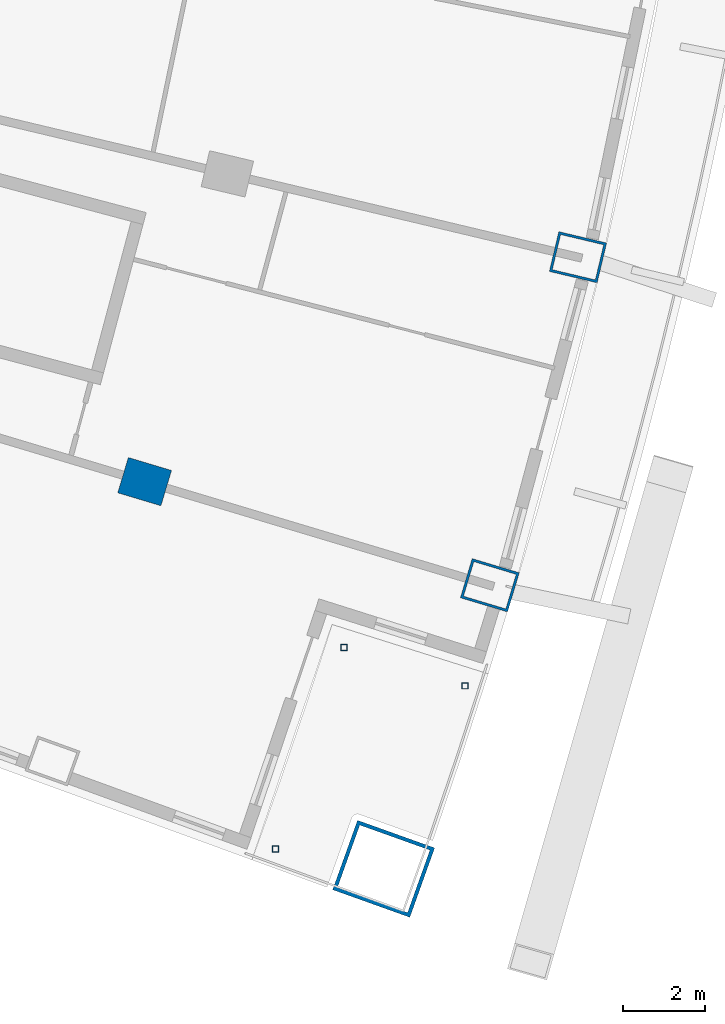
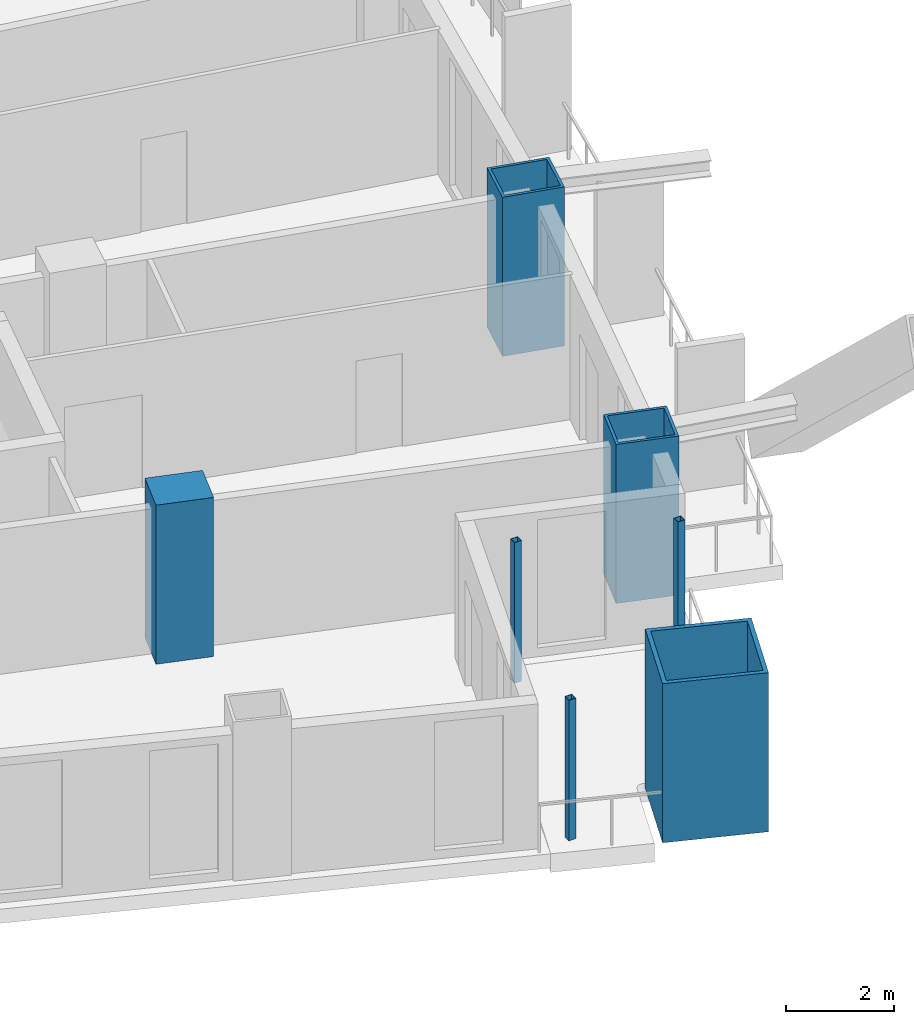
# One storey, part 5 of 25: 7 columns.
"""IFC4 building model written with IfcOpenShell, lengths in metres."""

import ifcopenshell
import ifcopenshell.guid

model = None  # the IFC model being written
_history = None  # IfcOwnerHistory: only IFC2X3 demands one
_inside = {}  # id of a spatial element -> (the spatial element, [elements in it])
_under = {}  # id of a project, library or spatial element -> (it, [spatial elements below it])
_declared = {}  # id of a project -> (the project, [libraries it declares])
_typed = {}  # id of a type object -> (the type object, [elements of that type])
_made_of = {}  # id of a material, layer set ... -> (it, [elements and type objects made of it])


def new_model(schema):
    """Start an empty IFC model of exactly this schema.

    Asked for "IFC4X3", IfcOpenShell would pick the latest addendum, in which some entities
    have other attributes; the version numbers below select the first issue.
    IFC2X3 requires an IfcOwnerHistory on every rooted entity: one is made here for all.
    """
    global model, _history
    if schema == "IFC4X3":
        model = ifcopenshell.file(schema_version=(4, 3, 0, 0))
    else:
        model = ifcopenshell.file(schema=schema)
    _inside.clear()
    _under.clear()
    _declared.clear()
    _typed.clear()
    _made_of.clear()
    _history = None
    if model.schema == "IFC2X3":
        org = make("IfcOrganization", Name="unknown")
        user = make(
            "IfcPersonAndOrganization",
            ThePerson=make("IfcPerson", FamilyName="unknown"),
            TheOrganization=org,
        )
        app = make(
            "IfcApplication",
            ApplicationDeveloper=org,
            Version="unknown",
            ApplicationFullName="unknown",
            ApplicationIdentifier="unknown",
        )
        _history = make(
            "IfcOwnerHistory",
            OwningUser=user,
            OwningApplication=app,
            ChangeAction="ADDED",
            CreationDate=0,
        )
    return model


def make(cls, **values):
    """One entity of the class cls with the attributes given. An attribute that is None is left unset."""
    return model.create_entity(
        cls, **{name: value for name, value in values.items() if value is not None}
    )


def rooted(cls, **values):
    """An entity with a GlobalId (a new one), such as an element, a storey or a relation."""
    return make(cls, GlobalId=ifcopenshell.guid.new(), OwnerHistory=_history, **values)


def si_unit(unit_type, name, prefix=None):
    """IfcSIUnit, for example si_unit("LENGTHUNIT", "METRE", prefix="MILLI")."""
    return make("IfcSIUnit", UnitType=unit_type, Prefix=prefix, Name=name)


def assignment(units):
    """IfcUnitAssignment: the units of a project."""
    return None if units is None else make("IfcUnitAssignment", Units=units)


def point(xyz):
    """IfcCartesianPoint."""
    return None if xyz is None else make("IfcCartesianPoint", Coordinates=xyz)


def direction(xyz):
    """IfcDirection."""
    return None if xyz is None else make("IfcDirection", DirectionRatios=xyz)


def frame(location, z_axis=None, x_axis=None):
    """IfcAxis2Placement3D, a coordinate frame: its origin and axes. An axis left out is left unset."""
    return make(
        "IfcAxis2Placement3D",
        Location=point(location),
        Axis=direction(z_axis),
        RefDirection=direction(x_axis),
    )


def frame_2d(location, x_axis=None):
    """IfcAxis2Placement2D, a coordinate frame in the plane: its origin and x axis."""
    return make(
        "IfcAxis2Placement2D", Location=point(location), RefDirection=direction(x_axis)
    )


def origin():
    """The frame at (0, 0, 0) with its axes left unset."""
    return frame((0.0, 0.0, 0.0))


def origin_2d():
    """The frame at (0, 0) in the plane with its x axis left unset."""
    return frame_2d((0.0, 0.0))


def place(relative_to, where):
    """IfcLocalPlacement: puts the frame where relative to a parent placement (None: the world)."""
    return make(
        "IfcLocalPlacement", PlacementRelTo=relative_to, RelativePlacement=where
    )


def context(
    kind, dimensions, precision=None, world=None, true_north=None, identifier=None
):
    """IfcGeometricRepresentationContext, for example the 3D "Model" context."""
    return make(
        "IfcGeometricRepresentationContext",
        ContextIdentifier=identifier,
        ContextType=kind,
        CoordinateSpaceDimension=dimensions,
        Precision=precision,
        WorldCoordinateSystem=world,
        TrueNorth=true_north,
    )


def subcontext(parent, identifier, kind, view, scale=None):
    """IfcGeometricRepresentationSubContext, for example "Body" below "Model"."""
    return make(
        "IfcGeometricRepresentationSubContext",
        ContextIdentifier=identifier,
        ContextType=kind,
        ParentContext=parent,
        TargetScale=scale,
        TargetView=view,
    )


def project(units=None, contexts=None):
    """IfcProject with its units and contexts."""
    return rooted(
        "IfcProject",
        Name="project",
        RepresentationContexts=contexts,
        UnitsInContext=assignment(units),
    )


def spatial(cls, under=None, at=None, **own):
    """A site, building, storey or space (cls), placed at a placement, below another one or the project."""
    s = rooted(cls, ObjectPlacement=at, **own)
    if under is not None:
        _under.setdefault(under.id(), (under, []))[1].append(s)
    return s


def profile(cls, at=None, kind="AREA", **sizes):
    """A parametric profile (cls). Its sizes go by their IFC names, for example OverallWidth=200.0."""
    return make(cls, ProfileType=kind, Position=at, **sizes)


def rectangle(**sizes):
    """IfcRectangleProfileDef."""
    return profile("IfcRectangleProfileDef", **sizes)


def hollow_rectangle(**sizes):
    """IfcRectangleHollowProfileDef."""
    return profile("IfcRectangleHollowProfileDef", **sizes)


def extrude(swept, where, along, depth):
    """IfcExtrudedAreaSolid: the profile swept, set in the frame where, extruded along a direction by depth."""
    return make(
        "IfcExtrudedAreaSolid",
        SweptArea=swept,
        Position=where,
        ExtrudedDirection=direction(along),
        Depth=depth,
    )


def shape(context_of_items, identifier, shape_type, items):
    """IfcShapeRepresentation: the items that make up one representation, for example the "Body"."""
    return make(
        "IfcShapeRepresentation",
        ContextOfItems=context_of_items,
        RepresentationIdentifier=identifier,
        RepresentationType=shape_type,
        Items=items,
    )


def material(Name=None, Category=None):
    """IfcMaterial."""
    return make("IfcMaterial", Name=Name, Category=Category)


def material_profile(
    of_material, cross_section, Name=None, Category=None, Priority=None
):
    """IfcMaterialProfile: a cross section and its material."""
    return make(
        "IfcMaterialProfile",
        Name=Name,
        Material=of_material,
        Profile=cross_section,
        Priority=Priority,
        Category=Category,
    )


def profile_set(profiles, Name=None, composite=None):
    """IfcMaterialProfileSet."""
    return make(
        "IfcMaterialProfileSet",
        Name=Name,
        MaterialProfiles=profiles,
        CompositeProfile=composite,
    )


def made_of(thing, what):
    """Note that an element or type object is made of a material, layer set ...; save() writes the relation."""
    if what is not None:
        _made_of.setdefault(what.id(), (what, []))[1].append(thing)
    return thing


def type_object(cls, material=None, **own):
    """A type object (cls), such as IfcWallType, which elements share."""
    return made_of(rooted(cls, **own), material)


def element(
    cls,
    number,
    at=None,
    inside=None,
    cuts=None,
    type_object=None,
    material=None,
    context=None,
    identifier="Body",
    shape_type=None,
    held_by="IfcProductDefinitionShape",
    body=None,
    shapes=None,
    **own,
):
    """One element of the class cls, such as IfcWall. Its Tag is "e" and its number.

    at: its placement. inside: the storey or other place that contains it. cuts: it is an
    opening in that element (IfcRelVoidsElement). A single representation is given by context,
    identifier, shape_type and body (its items); several are given by shapes. held_by: the class
    of the entity that holds the representations. save() writes the other relations.
    """
    e = rooted(cls, Tag="e%d" % number, ObjectPlacement=at, **own)
    if body is not None:
        shapes = [shape(context, identifier, shape_type, body)]
    if shapes is not None:
        e.Representation = make(held_by, Representations=shapes)
    if inside is not None:
        _inside.setdefault(inside.id(), (inside, []))[1].append(e)
    if cuts is not None:
        rooted(
            "IfcRelVoidsElement", RelatingBuildingElement=cuts, RelatedOpeningElement=e
        )
    if type_object is not None:
        _typed.setdefault(type_object.id(), (type_object, []))[1].append(e)
    return made_of(e, material)


def aggregate(whole, parts):
    """IfcRelAggregates: a whole, such as a stair, and the parts it consists of."""
    return rooted("IfcRelAggregates", RelatingObject=whole, RelatedObjects=parts)


def save(model, path):
    """Write the relations noted so far, then the file.

    IfcRelAggregates (storeys below a building ...), IfcRelContainedInSpatialStructure (elements
    in a storey), IfcRelDefinesByType, IfcRelAssociatesMaterial and IfcRelDeclares: one each for
    every whole, place, type object, material and project.
    """
    for whole, parts in _under.values():
        aggregate(whole, parts)
    for where, things in _inside.values():
        rooted(
            "IfcRelContainedInSpatialStructure",
            RelatedElements=things,
            RelatingStructure=where,
        )
    for kind, things in _typed.values():
        rooted("IfcRelDefinesByType", RelatedObjects=things, RelatingType=kind)
    for what, things in _made_of.values():
        rooted("IfcRelAssociatesMaterial", RelatedObjects=things, RelatingMaterial=what)
    for by, libraries in _declared.values():
        rooted("IfcRelDeclares", RelatingContext=by, RelatedDefinitions=libraries)
    model.write(path)


model = new_model("IFC4")

# Units and contexts
model_context = context("Model", 3, precision=1e-05, world=origin(), true_north=direction((0.0, 1.0)))
body_context = subcontext(model_context, "Body", "Model", "MODEL_VIEW")
ifc_project = project(units=[si_unit("LENGTHUNIT", "METRE"), si_unit("AREAUNIT", "SQUARE_METRE"), si_unit("VOLUMEUNIT", "CUBIC_METRE"), si_unit("PLANEANGLEUNIT", "RADIAN"), si_unit("MASSUNIT", "GRAM", prefix="KILO")], contexts=[model_context])

# Site, building, storey
site_placement = place(None, origin())
site = spatial("IfcSite", under=ifc_project, at=site_placement, CompositionType="ELEMENT")
building_placement = place(site_placement, origin())
building = spatial("IfcBuilding", under=site, at=building_placement, Name="Alderwake Tower", CompositionType="ELEMENT")
storey_placement = place(building_placement, frame((0.0, 0.0, 64.39990234375)))
storey = spatial("IfcBuildingStorey", under=building, at=storey_placement, Name="L15", CompositionType="ELEMENT", Elevation=64.39990234375)

# Columns
ifc_material_1 = material(Name="Concrete C70/85", Category="concrete")
ifc_material_profile_1 = material_profile(ifc_material_1, rectangle(XDim=0.89990234375, YDim=1.10009765625, at=origin_2d()), Name="RC 1100X900")
ifc_profile_set_1 = profile_set([ifc_material_profile_1], Name="Concrete C70/85")
column_type_1 = type_object("IfcColumnType", Name="Interior column Z1", PredefinedType="COLUMN", material=ifc_profile_set_1)
column_1_placement = place(storey_placement, frame((47.76611328125, 22.64111328125, 0.0), z_axis=(0.0, 0.0, 1.0), x_axis=(0.287549418125, 0.957765802342, 0.0)))
element("IfcColumn", 1, at=column_1_placement, inside=storey, type_object=column_type_1, Name="Column R02-C4", PredefinedType="COLUMN", context=body_context, shape_type="SweptSolid", body=[
    extrude(rectangle(XDim=0.89990234375, YDim=1.10009765625, at=origin_2d()), origin(), (0.0, 0.0, 1.0), 3.60009765625),
])
ifc_material_2 = material(Name="Steel ASTM A500 Grade C", Category="steel")
ifc_material_profile_2 = material_profile(ifc_material_2, hollow_rectangle(XDim=0.15234375, YDim=0.15234375, WallThickness=0.0087890625, at=origin_2d()), Name="HSS6X6X3/8")
ifc_profile_set_2 = profile_set([ifc_material_profile_2], Name="Steel ASTM A500 Grade C")
column_type_2 = type_object("IfcColumnType", Name="Light post HSS6X6X3/8", PredefinedType="COLUMN", material=ifc_profile_set_2)
for number, where, z_axis, x_axis, name in (
    (2, (55.590087890625, 17.65478515625, 0.0), (0.0, 0.0, 1.0), (1.0, 0.0, 0.0), "Terrace post FS1"),
    (3, (50.961181640625, 13.67431640625, 0.0), (0.0, 0.0, 1.0), (1.0, 0.0, 0.0), "Terrace post FS2"),
    (4, (52.634521484375, 18.58935546875, 0.0), (0.0, 0.0, 1.0), (1.0, 0.0, 0.0), "Terrace post FS3"),
):
    element("IfcColumn", number, at=place(storey_placement, frame(where, z_axis=z_axis, x_axis=x_axis)), inside=storey, type_object=column_type_2, Name=name, PredefinedType="COLUMN", context=body_context, shape_type="SweptSolid", body=[
        extrude(hollow_rectangle(XDim=0.15234375, YDim=0.15234375, WallThickness=0.0087890625, at=origin_2d()), origin(), (0.0, 0.0, 1.0), 3.18017578125),
    ])
ifc_material_3 = material(Name="Steel ASTM A572 Grade 50 concrete filled C70/85", Category="concrete")
ifc_material_profile_3 = material_profile(ifc_material_3, hollow_rectangle(XDim=1.800048828125, YDim=2.0, WallThickness=0.090087890625, at=origin_2d()), Name="BOX 2000X1800X90")
ifc_profile_set_3 = profile_set([ifc_material_profile_3], Name="Steel ASTM A572 Grade 50 concrete filled C70/85")
column_type_3 = type_object("IfcColumnType", Name="Mega column Z1", PredefinedType="COLUMN", material=ifc_profile_set_3)
column_2_placement = place(storey_placement, frame((53.602294921875, 13.1875, 0.0), z_axis=(0.0, 0.0, 1.0), x_axis=(0.336945725149, 0.941524072079, 0.0)))
element("IfcColumn", 5, at=column_2_placement, inside=storey, type_object=column_type_3, Name="Column R01-C5", PredefinedType="COLUMN", context=body_context, shape_type="SweptSolid", body=[
    extrude(hollow_rectangle(XDim=1.800048828125, YDim=2.0, WallThickness=0.090087890625, at=origin_2d()), origin(), (0.0, 0.0, 1.0), 3.60009765625),
])
ifc_material_4 = material(Name="Steel ASTM A572 Grade 50 concrete filled C70/85", Category="concrete")
ifc_material_profile_4 = material_profile(ifc_material_4, hollow_rectangle(XDim=1.0, YDim=1.199951171875, WallThickness=0.06005859375, at=origin_2d()), Name="BOX 1200X1000X60")
ifc_profile_set_4 = profile_set([ifc_material_profile_4], Name="Steel ASTM A572 Grade 50 concrete filled C70/85")
column_type_4 = type_object("IfcColumnType", Name="Perimeter column Z1", PredefinedType="COLUMN", material=ifc_profile_set_4)
for number, where, z_axis, x_axis, name in (
    (6, (56.1943359375, 20.110595703125, 0.0), (0.0, 0.0, 1.0), (0.287549418125, 0.957765802342, 0.0), "Column R02-C5"),
    (7, (58.346435546875, 28.120361328125, 0.0), (0.0, 0.0, 1.0), (0.231221547198, 0.972901123502, 0.0), "Column R03-C5"),
):
    element("IfcColumn", number, at=place(storey_placement, frame(where, z_axis=z_axis, x_axis=x_axis)), inside=storey, type_object=column_type_4, Name=name, PredefinedType="COLUMN", context=body_context, shape_type="SweptSolid", body=[
        extrude(hollow_rectangle(XDim=1.0, YDim=1.199951171875, WallThickness=0.06005859375, at=origin_2d()), origin(), (0.0, 0.0, 1.0), 3.60009765625),
    ])

save(model, "model.ifc")
